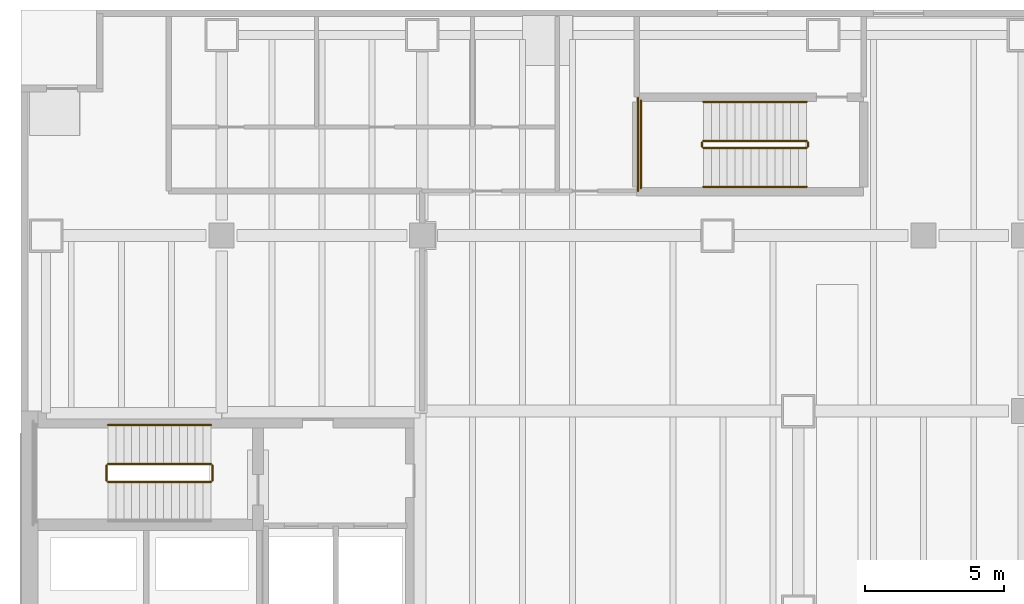
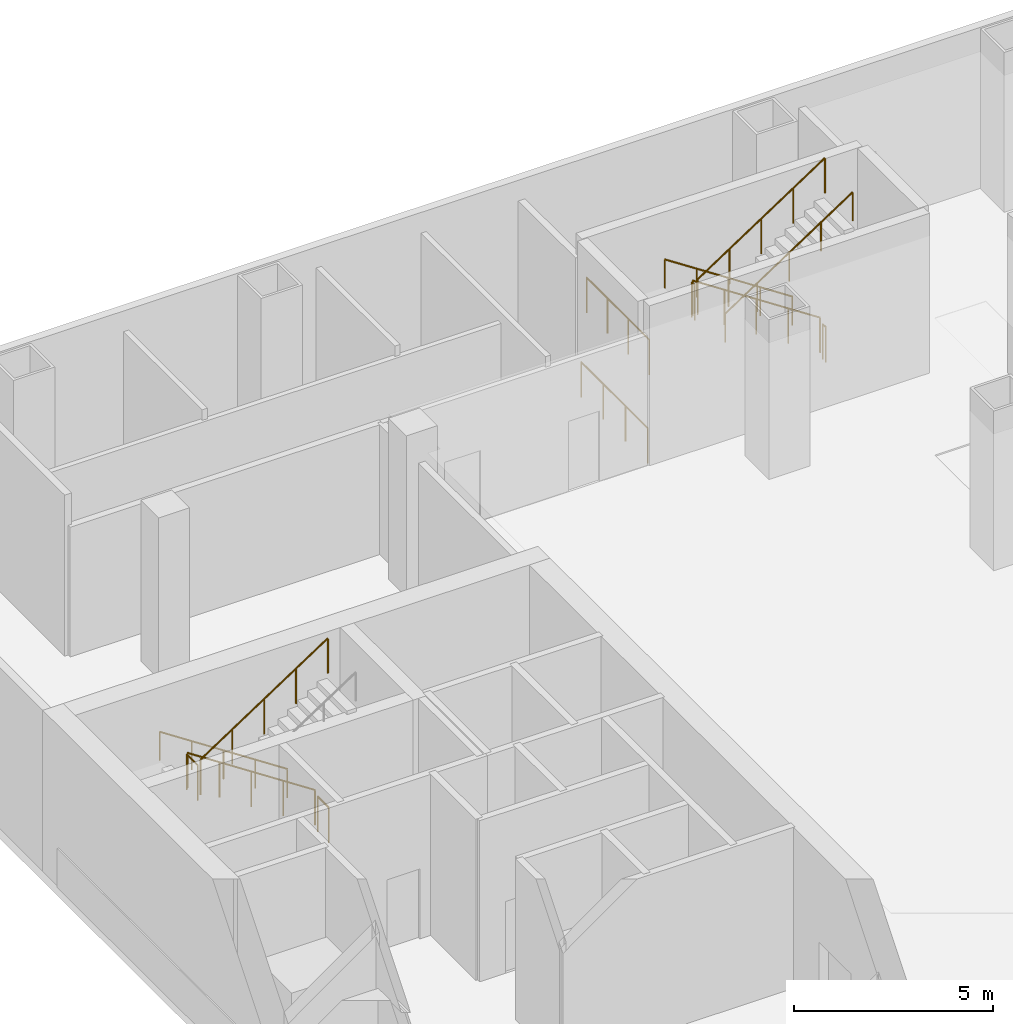
# One storey, part 16 of 17: 13 railings.
"""IFC4 building model written with IfcOpenShell, lengths in metres."""

from ifc_helpers import new_model, si_unit, direction, frame, origin, origin_2d, place, context, subcontext, project, spatial, circle, extrude, material, type_object, element, save


model = new_model("IFC4")

# Units and contexts
model_context = context("Model", 3, precision=1e-05, world=origin(), true_north=direction((0.0, 1.0)))
body_context = subcontext(model_context, "Body", "Model", "MODEL_VIEW")
ifc_project = project(units=[si_unit("LENGTHUNIT", "METRE"), si_unit("AREAUNIT", "SQUARE_METRE"), si_unit("VOLUMEUNIT", "CUBIC_METRE"), si_unit("PLANEANGLEUNIT", "RADIAN"), si_unit("MASSUNIT", "GRAM", prefix="KILO")], contexts=[model_context])

# Site, building, storey
site_placement = place(None, origin())
site = spatial("IfcSite", under=ifc_project, at=site_placement, CompositionType="ELEMENT")
building_placement = place(site_placement, origin())
building = spatial("IfcBuilding", under=site, at=building_placement, Name="Cobrela Telecom Tower", CompositionType="ELEMENT")
storey_placement = place(building_placement, origin())
storey = spatial("IfcBuildingStorey", under=building, at=storey_placement, Name="L00", CompositionType="ELEMENT", Elevation=0.0)

# Railings
ifc_material = material(Name="Steel ASTM A36", Category="steel")
railing_type_1 = type_object("IfcRailingType", Name="RAIL-GUARD-1100", PredefinedType="GUARDRAIL", material=ifc_material)
railing_1_placement = place(storey_placement, frame((6.820068359375, 34.10009765625, 0.1875)))
element("IfcRailing", 1, at=railing_1_placement, inside=storey, type_object=railing_type_1, Name="L00 ST1 stair guard 1", PredefinedType="GUARDRAIL", context=body_context, shape_type="SweptSolid", body=[
    extrude(circle(Radius=0.02392578125, at=origin_2d()), frame((0.0, 0.0, 1.076171875), z_axis=(-0.835422403512, 0.0, 0.549608413064), x_axis=(0.0, -1.0, 0.0)), (0.0, 0.0, 1.0), 4.43505859375),
    extrude(circle(Radius=0.02099609375, at=origin_2d()), origin(), (0.0, 0.0, 1.0), 1.052001953125),
    extrude(circle(Radius=0.02099609375, at=origin_2d()), frame((-0.92626953125, 0.0, 0.609375)), (0.0, 0.0, 1.0), 1.052001953125),
    extrude(circle(Radius=0.02099609375, at=origin_2d()), frame((-1.8525390625, 0.0, 1.21875)), (0.0, 0.0, 1.0), 1.052001953125),
    extrude(circle(Radius=0.02099609375, at=origin_2d()), frame((-2.77880859375, 0.0, 1.828125)), (0.0, 0.0, 1.0), 1.052001953125),
    extrude(circle(Radius=0.02099609375, at=origin_2d()), frame((-3.705078125, 0.0, 2.4375)), (0.0, 0.0, 1.0), 1.052001953125),
])
railing_2_placement = place(storey_placement, frame((3.06494140625, 34.050048828125, 2.625)))
element("IfcRailing", 2, at=railing_2_placement, inside=storey, type_object=railing_type_1, Name="L00 ST1 stair guard 2", PredefinedType="GUARDRAIL", context=body_context, shape_type="SweptSolid", body=[
    extrude(circle(Radius=0.02392578125, at=origin_2d()), frame((0.0, 0.0, 1.076171875), z_axis=(0.0, -1.0, 0.0), x_axis=(1.0, 0.0, 0.0)), (0.0, 0.0, 1.0), 0.550048828125),
    extrude(circle(Radius=0.02099609375, at=origin_2d()), origin(), (0.0, 0.0, 1.0), 1.052001953125),
    extrude(circle(Radius=0.02099609375, at=origin_2d()), frame((0.0, -0.550048828125, 0.0)), (0.0, 0.0, 1.0), 1.052001953125),
])
railing_3_placement = place(storey_placement, frame((3.114990234375, 33.449951171875, 2.8125)))
element("IfcRailing", 3, at=railing_3_placement, inside=storey, type_object=railing_type_1, Name="L00 ST1 stair guard 4", PredefinedType="GUARDRAIL", context=body_context, shape_type="SweptSolid", body=[
    extrude(circle(Radius=0.02392578125, at=origin_2d()), frame((0.0, 0.0, 1.076171875), z_axis=(0.835422403512, 0.0, 0.549608413064), x_axis=(0.0, 1.0, 0.0)), (0.0, 0.0, 1.0), 4.43505859375),
    extrude(circle(Radius=0.02099609375, at=origin_2d()), origin(), (0.0, 0.0, 1.0), 1.052001953125),
    extrude(circle(Radius=0.02099609375, at=origin_2d()), frame((0.92626953125, 0.0, 0.609375)), (0.0, 0.0, 1.0), 1.052001953125),
    extrude(circle(Radius=0.02099609375, at=origin_2d()), frame((1.8525390625, 0.0, 1.21875)), (0.0, 0.0, 1.0), 1.052001953125),
    extrude(circle(Radius=0.02099609375, at=origin_2d()), frame((2.77880859375, 0.0, 1.828125)), (0.0, 0.0, 1.0), 1.052001953125),
    extrude(circle(Radius=0.02099609375, at=origin_2d()), frame((3.705078125, 0.0, 2.4375)), (0.0, 0.0, 1.0), 1.052001953125),
])
railing_4_placement = place(storey_placement, frame((6.8701171875, 34.050048828125, 0.0)))
element("IfcRailing", 4, at=railing_4_placement, inside=storey, type_object=railing_type_1, Name="L00 ST1 stair guard 5", PredefinedType="GUARDRAIL", context=body_context, shape_type="SweptSolid", body=[
    extrude(circle(Radius=0.02392578125, at=origin_2d()), frame((0.0, 0.0, 1.076171875), z_axis=(0.0, -1.0, 0.0), x_axis=(1.0, 0.0, 0.0)), (0.0, 0.0, 1.0), 0.550048828125),
    extrude(circle(Radius=0.02099609375, at=origin_2d()), origin(), (0.0, 0.0, 1.0), 1.052001953125),
    extrude(circle(Radius=0.02099609375, at=origin_2d()), frame((0.0, -0.550048828125, 0.0)), (0.0, 0.0, 1.0), 1.052001953125),
])
railing_5_placement = place(storey_placement, frame((28.199951171875, 45.699951171875, 0.1875)))
element("IfcRailing", 5, at=railing_5_placement, inside=storey, type_object=railing_type_1, Name="L00 ST3 stair guard 1", PredefinedType="GUARDRAIL", context=body_context, shape_type="SweptSolid", body=[
    extrude(circle(Radius=0.02392578125, at=origin_2d()), frame((0.0, 0.0, 1.076171875), z_axis=(-0.83540577377, 0.0, 0.549633689972), x_axis=(0.0, -1.0, 0.0)), (0.0, 0.0, 1.0), 4.434814453125),
    extrude(circle(Radius=0.02099609375, at=origin_2d()), origin(), (0.0, 0.0, 1.0), 1.052001953125),
    extrude(circle(Radius=0.02099609375, at=origin_2d()), frame((-0.92626953125, 0.0, 0.609375)), (0.0, 0.0, 1.0), 1.052001953125),
    extrude(circle(Radius=0.02099609375, at=origin_2d()), frame((-1.8525390625, 0.0, 1.21875)), (0.0, 0.0, 1.0), 1.052001953125),
    extrude(circle(Radius=0.02099609375, at=origin_2d()), frame((-2.778564453125, 0.0, 1.828125)), (0.0, 0.0, 1.0), 1.052001953125),
    extrude(circle(Radius=0.02099609375, at=origin_2d()), frame((-3.704833984375, 0.0, 2.4375)), (0.0, 0.0, 1.0), 1.052001953125),
])
railing_6_placement = place(storey_placement, frame((24.445068359375, 45.64990234375, 2.625)))
element("IfcRailing", 6, at=railing_6_placement, inside=storey, type_object=railing_type_1, Name="L00 ST3 stair guard 2", PredefinedType="GUARDRAIL", context=body_context, shape_type="SweptSolid", body=[
    extrude(circle(Radius=0.02392578125, at=origin_2d()), frame((0.0, 0.0, 1.076171875), z_axis=(0.0, -1.0, 0.0), x_axis=(1.0, 0.0, 0.0)), (0.0, 0.0, 1.0), 0.14990234375),
    extrude(circle(Radius=0.02099609375, at=origin_2d()), origin(), (0.0, 0.0, 1.0), 1.052001953125),
    extrude(circle(Radius=0.02099609375, at=origin_2d()), frame((0.0, -0.14990234375, 0.0)), (0.0, 0.0, 1.0), 1.052001953125),
])
railing_7_placement = place(storey_placement, frame((22.25, 47.14990234375, 2.625)))
element("IfcRailing", 7, at=railing_7_placement, inside=storey, type_object=railing_type_1, Name="L00 ST3 stair guard 3", PredefinedType="GUARDRAIL", context=body_context, shape_type="SweptSolid", body=[
    extrude(circle(Radius=0.02392578125, at=origin_2d()), frame((0.0, 0.0, 1.076171875), z_axis=(0.0, -1.0, 0.0), x_axis=(1.0, 0.0, 0.0)), (0.0, 0.0, 1.0), 3.14990234375),
    extrude(circle(Radius=0.02099609375, at=origin_2d()), origin(), (0.0, 0.0, 1.0), 1.052001953125),
    extrude(circle(Radius=0.02099609375, at=origin_2d()), frame((0.0, -1.050048828125, 0.0)), (0.0, 0.0, 1.0), 1.052001953125),
    extrude(circle(Radius=0.02099609375, at=origin_2d()), frame((0.0, -2.099853515625, 0.0)), (0.0, 0.0, 1.0), 1.052001953125),
    extrude(circle(Radius=0.02099609375, at=origin_2d()), frame((0.0, -3.14990234375, 0.0)), (0.0, 0.0, 1.0), 1.052001953125),
])
railing_8_placement = place(storey_placement, frame((24.4951171875, 45.449951171875, 2.8125)))
element("IfcRailing", 8, at=railing_8_placement, inside=storey, type_object=railing_type_1, Name="L00 ST3 stair guard 4", PredefinedType="GUARDRAIL", context=body_context, shape_type="SweptSolid", body=[
    extrude(circle(Radius=0.02392578125, at=origin_2d()), frame((0.0, 0.0, 1.076171875), z_axis=(0.83540577377, 0.0, 0.549633689972), x_axis=(0.0, 1.0, 0.0)), (0.0, 0.0, 1.0), 4.434814453125),
    extrude(circle(Radius=0.02099609375, at=origin_2d()), origin(), (0.0, 0.0, 1.0), 1.052001953125),
    extrude(circle(Radius=0.02099609375, at=origin_2d()), frame((0.92626953125, 0.0, 0.609375)), (0.0, 0.0, 1.0), 1.052001953125),
    extrude(circle(Radius=0.02099609375, at=origin_2d()), frame((1.8525390625, 0.0, 1.21875)), (0.0, 0.0, 1.0), 1.052001953125),
    extrude(circle(Radius=0.02099609375, at=origin_2d()), frame((2.778564453125, 0.0, 1.828125)), (0.0, 0.0, 1.0), 1.052001953125),
    extrude(circle(Radius=0.02099609375, at=origin_2d()), frame((3.704833984375, 0.0, 2.4375)), (0.0, 0.0, 1.0), 1.052001953125),
])
railing_9_placement = place(storey_placement, frame((28.25, 45.64990234375, 0.0)))
element("IfcRailing", 9, at=railing_9_placement, inside=storey, type_object=railing_type_1, Name="L00 ST3 stair guard 5", PredefinedType="GUARDRAIL", context=body_context, shape_type="SweptSolid", body=[
    extrude(circle(Radius=0.02392578125, at=origin_2d()), frame((0.0, 0.0, 1.076171875), z_axis=(0.0, -1.0, 0.0), x_axis=(1.0, 0.0, 0.0)), (0.0, 0.0, 1.0), 0.14990234375),
    extrude(circle(Radius=0.02099609375, at=origin_2d()), origin(), (0.0, 0.0, 1.0), 1.052001953125),
    extrude(circle(Radius=0.02099609375, at=origin_2d()), frame((0.0, -0.14990234375, 0.0)), (0.0, 0.0, 1.0), 1.052001953125),
])
railing_10_placement = place(storey_placement, frame((22.14990234375, 47.25, 0.0)))
element("IfcRailing", 10, at=railing_10_placement, inside=storey, type_object=railing_type_1, Name="L00 ST3 stair guard 6", PredefinedType="GUARDRAIL", context=body_context, shape_type="SweptSolid", body=[
    extrude(circle(Radius=0.02392578125, at=origin_2d()), frame((0.0, 0.0, 1.076171875), z_axis=(0.0, -1.0, 0.0), x_axis=(1.0, 0.0, 0.0)), (0.0, 0.0, 1.0), 3.35009765625),
    extrude(circle(Radius=0.02099609375, at=origin_2d()), origin(), (0.0, 0.0, 1.0), 1.052001953125),
    extrude(circle(Radius=0.02099609375, at=origin_2d()), frame((0.0, -1.11669921875, 0.0)), (0.0, 0.0, 1.0), 1.052001953125),
    extrude(circle(Radius=0.02099609375, at=origin_2d()), frame((0.0, -2.2333984375, 0.0)), (0.0, 0.0, 1.0), 1.052001953125),
    extrude(circle(Radius=0.02099609375, at=origin_2d()), frame((0.0, -3.35009765625, 0.0)), (0.0, 0.0, 1.0), 1.052001953125),
])
railing_type_2 = type_object("IfcRailingType", Name="RAIL-HAND-920", PredefinedType="HANDRAIL", material=ifc_material)
railing_11_placement = place(storey_placement, frame((6.820068359375, 35.5, 0.1875)))
element("IfcRailing", 11, at=railing_11_placement, inside=storey, type_object=railing_type_2, Name="L00 ST1 stair handrail 1", PredefinedType="HANDRAIL", context=body_context, shape_type="SweptSolid", body=[
    extrude(circle(Radius=0.02392578125, at=origin_2d()), frame((0.0, 0.0, 0.8759765625), z_axis=(-0.835422403512, 0.0, 0.549608413064), x_axis=(0.0, -1.0, 0.0)), (0.0, 0.0, 1.0), 4.43505859375),
    extrude(circle(Radius=0.02099609375, at=origin_2d()), origin(), (0.0, 0.0, 1.0), 0.851806640625),
    extrude(circle(Radius=0.02099609375, at=origin_2d()), frame((-0.92626953125, 0.0, 0.609375)), (0.0, 0.0, 1.0), 0.851806640625),
    extrude(circle(Radius=0.02099609375, at=origin_2d()), frame((-1.8525390625, 0.0, 1.21875)), (0.0, 0.0, 1.0), 0.851806640625),
    extrude(circle(Radius=0.02099609375, at=origin_2d()), frame((-2.77880859375, 0.0, 1.828125)), (0.0, 0.0, 1.0), 0.851806640625),
    extrude(circle(Radius=0.02099609375, at=origin_2d()), frame((-3.705078125, 0.0, 2.4375)), (0.0, 0.0, 1.0), 0.851806640625),
])
railing_12_placement = place(storey_placement, frame((28.199951171875, 47.10009765625, 0.1875)))
element("IfcRailing", 12, at=railing_12_placement, inside=storey, type_object=railing_type_2, Name="L00 ST3 stair handrail 1", PredefinedType="HANDRAIL", context=body_context, shape_type="SweptSolid", body=[
    extrude(circle(Radius=0.02392578125, at=origin_2d()), frame((0.0, 0.0, 0.8759765625), z_axis=(-0.83540577377, 0.0, 0.549633689972), x_axis=(0.0, -1.0, 0.0)), (0.0, 0.0, 1.0), 4.434814453125),
    extrude(circle(Radius=0.02099609375, at=origin_2d()), origin(), (0.0, 0.0, 1.0), 0.851806640625),
    extrude(circle(Radius=0.02099609375, at=origin_2d()), frame((-0.92626953125, 0.0, 0.609375)), (0.0, 0.0, 1.0), 0.851806640625),
    extrude(circle(Radius=0.02099609375, at=origin_2d()), frame((-1.8525390625, 0.0, 1.21875)), (0.0, 0.0, 1.0), 0.851806640625),
    extrude(circle(Radius=0.02099609375, at=origin_2d()), frame((-2.778564453125, 0.0, 1.828125)), (0.0, 0.0, 1.0), 0.851806640625),
    extrude(circle(Radius=0.02099609375, at=origin_2d()), frame((-3.704833984375, 0.0, 2.4375)), (0.0, 0.0, 1.0), 0.851806640625),
])
railing_13_placement = place(storey_placement, frame((24.4951171875, 44.050048828125, 2.8125)))
element("IfcRailing", 13, at=railing_13_placement, inside=storey, type_object=railing_type_2, Name="L00 ST3 stair handrail 2", PredefinedType="HANDRAIL", context=body_context, shape_type="SweptSolid", body=[
    extrude(circle(Radius=0.02392578125, at=origin_2d()), frame((0.0, 0.0, 0.8759765625), z_axis=(0.83540577377, 0.0, 0.549633689972), x_axis=(0.0, 1.0, 0.0)), (0.0, 0.0, 1.0), 4.434814453125),
    extrude(circle(Radius=0.02099609375, at=origin_2d()), origin(), (0.0, 0.0, 1.0), 0.851806640625),
    extrude(circle(Radius=0.02099609375, at=origin_2d()), frame((0.92626953125, 0.0, 0.609375)), (0.0, 0.0, 1.0), 0.851806640625),
    extrude(circle(Radius=0.02099609375, at=origin_2d()), frame((1.8525390625, 0.0, 1.21875)), (0.0, 0.0, 1.0), 0.851806640625),
    extrude(circle(Radius=0.02099609375, at=origin_2d()), frame((2.778564453125, 0.0, 1.828125)), (0.0, 0.0, 1.0), 0.851806640625),
    extrude(circle(Radius=0.02099609375, at=origin_2d()), frame((3.704833984375, 0.0, 2.4375)), (0.0, 0.0, 1.0), 0.851806640625),
])

save(model, "model.ifc")
